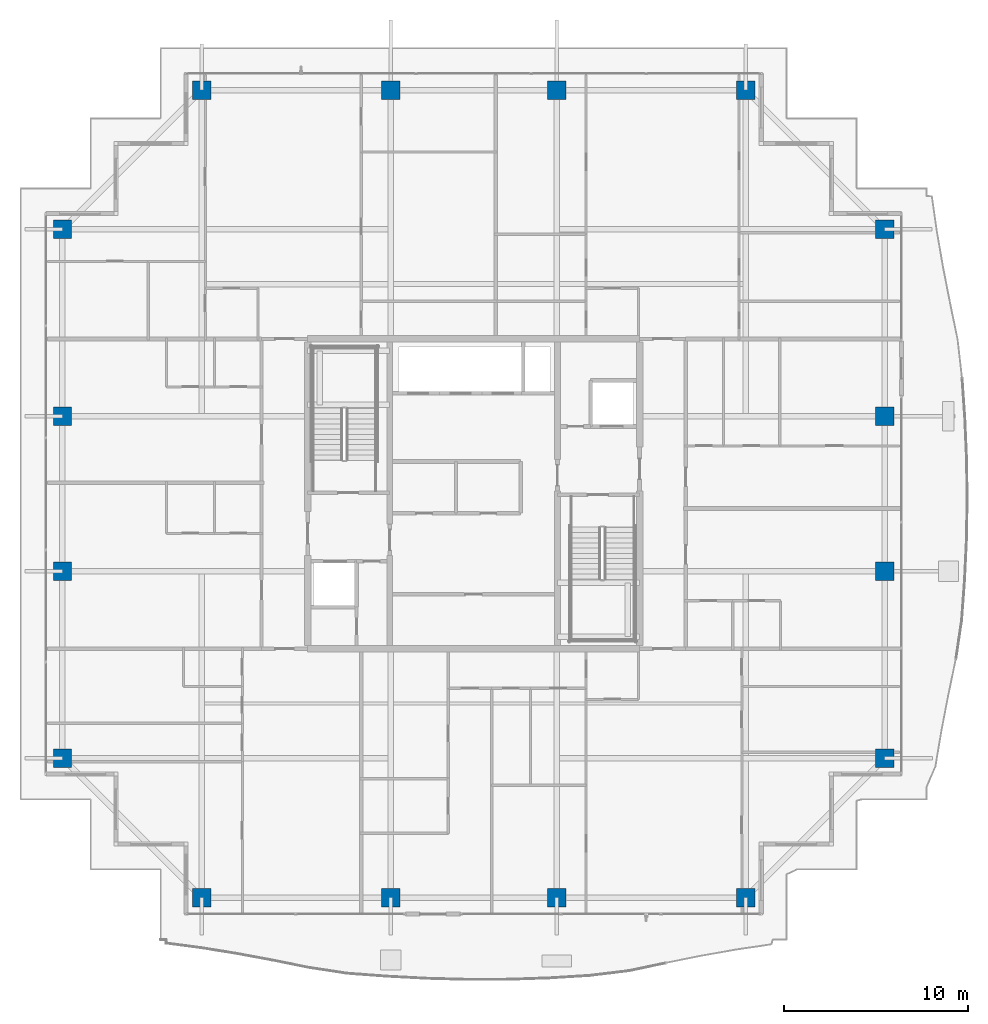
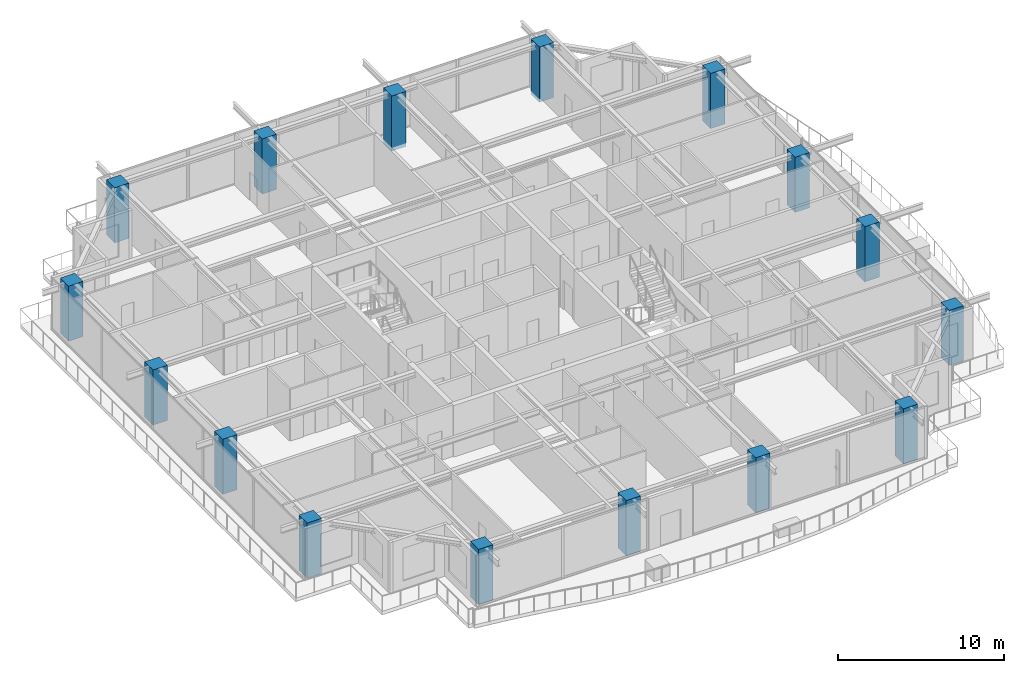
# One storey, part 1 of 42: 16 columns.
"""IFC4 building model written with IfcOpenShell, lengths in metres."""

from ifc_helpers import new_model, si_unit, direction, frame, origin, origin_2d, place, context, subcontext, project, spatial, rectangle, extrude, source, transform, mapped, material, material_profile, profile_set, type_object, element, save


model = new_model("IFC4")

# Units and contexts
model_context = context("Model", 3, precision=1e-05, world=origin(), true_north=direction((0.0, 1.0)))
body_context = subcontext(model_context, "Body", "Model", "MODEL_VIEW")
ifc_project = project(units=[si_unit("LENGTHUNIT", "METRE"), si_unit("AREAUNIT", "SQUARE_METRE"), si_unit("VOLUMEUNIT", "CUBIC_METRE"), si_unit("PLANEANGLEUNIT", "RADIAN"), si_unit("MASSUNIT", "GRAM", prefix="KILO")], contexts=[model_context])

# Site, building, storey
site_placement = place(None, origin())
site = spatial("IfcSite", under=ifc_project, at=site_placement, CompositionType="ELEMENT")
building_placement = place(site_placement, origin())
building = spatial("IfcBuilding", under=site, at=building_placement, Name="Serunith Strait Residences", CompositionType="ELEMENT")
storey_placement = place(building_placement, frame((0.0, 0.0, 325.85009765625)))
storey = spatial("IfcBuildingStorey", under=building, at=storey_placement, Name="L81", CompositionType="ELEMENT", Elevation=325.85009765625)

# Columns
ifc_material = material(Name="Concrete C70/85", Category="concrete")
ifc_material_profile = material_profile(ifc_material, rectangle(XDim=1.0, YDim=1.0, at=origin_2d()), Name="RC 1000x1000")
ifc_profile_set = profile_set([ifc_material_profile], Name="Concrete C70/85")
column_type = type_object("IfcColumnType", Name="COL-RC-1000", PredefinedType="COLUMN", material=ifc_profile_set)
shared_shape = source(origin(), body_context, "Body", "SweptSolid", [
    extrude(rectangle(XDim=1.0, YDim=1.0, at=origin_2d()), origin(), (0.0, 0.0, 1.0), 4.0498046875),
])
for number, where, z_axis, x_axis, name in (
    (1, (17.64990234375, 3.300048828125, -0.260009765625), (0.0, 0.0, 1.0), (1.0, 0.0, 0.0), "L81 Tower Mega-Column TC-S1"),
    (2, (27.89990234375, 3.300048828125, -0.260009765625), (0.0, 0.0, 1.0), (1.0, 0.0, 0.0), "L81 Tower Mega-Column TC-S2"),
    (3, (36.89990234375, 3.300048828125, -0.260009765625), (0.0, 0.0, 1.0), (1.0, 0.0, 0.0), "L81 Tower Mega-Column TC-S3"),
    (4, (47.14990234375, 3.300048828125, -0.260009765625), (0.0, 0.0, 1.0), (1.0, 0.0, 0.0), "L81 Tower Mega-Column TC-S4"),
    (5, (17.64990234375, 47.10009765625, -0.260009765625), (0.0, 0.0, 1.0), (1.0, 0.0, 0.0), "L81 Tower Mega-Column TC-N1"),
    (6, (27.89990234375, 47.10009765625, -0.260009765625), (0.0, 0.0, 1.0), (1.0, 0.0, 0.0), "L81 Tower Mega-Column TC-N2"),
    (7, (36.89990234375, 47.10009765625, -0.260009765625), (0.0, 0.0, 1.0), (1.0, 0.0, 0.0), "L81 Tower Mega-Column TC-N3"),
    (8, (47.14990234375, 47.10009765625, -0.260009765625), (0.0, 0.0, 1.0), (1.0, 0.0, 0.0), "L81 Tower Mega-Column TC-N4"),
    (9, (54.699951171875, 10.85009765625, -0.260009765625), (0.0, 0.0, 1.0), (1.0, 0.0, 0.0), "L81 Tower Mega-Column TC-E1"),
    (10, (54.699951171875, 21.0, -0.260009765625), (0.0, 0.0, 1.0), (1.0, 0.0, 0.0), "L81 Tower Mega-Column TC-E2"),
    (11, (54.699951171875, 29.39990234375, -0.260009765625), (0.0, 0.0, 1.0), (1.0, 0.0, 0.0), "L81 Tower Mega-Column TC-E3"),
    (12, (54.699951171875, 39.550048828125, -0.260009765625), (0.0, 0.0, 1.0), (1.0, 0.0, 0.0), "L81 Tower Mega-Column TC-E4"),
    (13, (10.10009765625, 10.85009765625, -0.260009765625), (0.0, 0.0, 1.0), (1.0, 0.0, 0.0), "L81 Tower Mega-Column TC-W1"),
    (14, (10.10009765625, 21.0, -0.260009765625), (0.0, 0.0, 1.0), (1.0, 0.0, 0.0), "L81 Tower Mega-Column TC-W2"),
    (15, (10.10009765625, 29.39990234375, -0.260009765625), (0.0, 0.0, 1.0), (1.0, 0.0, 0.0), "L81 Tower Mega-Column TC-W3"),
    (16, (10.10009765625, 39.550048828125, -0.260009765625), (0.0, 0.0, 1.0), (1.0, 0.0, 0.0), "L81 Tower Mega-Column TC-W4"),
):
    element("IfcColumn", number, at=place(storey_placement, frame(where, z_axis=z_axis, x_axis=x_axis)), inside=storey, type_object=column_type, Name=name, PredefinedType="COLUMN", context=body_context, shape_type="MappedRepresentation", body=[
        mapped(shared_shape, transform((0.0, 0.0, 0.0), scale=1.0)),
    ])

save(model, "model.ifc")
